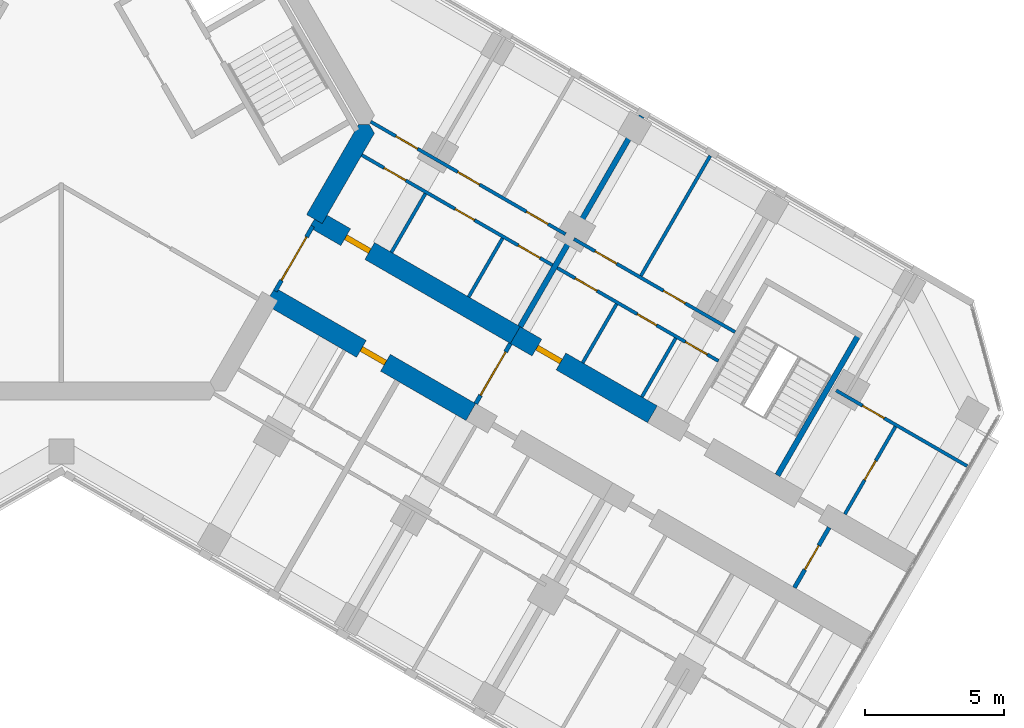
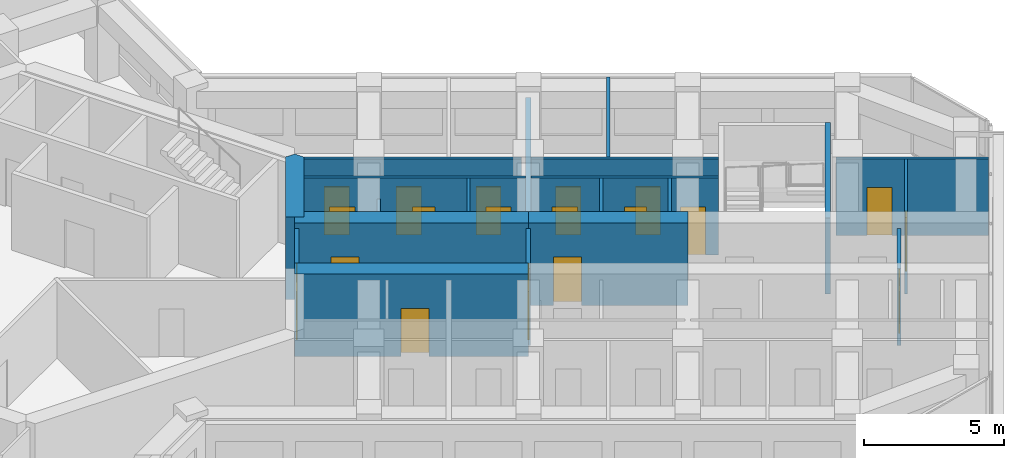
# One storey, part 12 of 16: 20 walls, 19 doors, 19 openings.
"""IFC4 building model written with IfcOpenShell, lengths in metres."""

from ifc_helpers import new_model, si_unit, direction, frame, frame_2d, origin, place, context, subcontext, project, spatial, polyline, rectangle, outline, extrude, material, layer, layer_set, type_object, element, fill, save


model = new_model("IFC4")

# Units and contexts
model_context = context("Model", 3, precision=1e-05, world=origin(), true_north=direction((0.0, 1.0)))
body_context = subcontext(model_context, "Body", "Model", "MODEL_VIEW")
ifc_project = project(units=[si_unit("LENGTHUNIT", "METRE"), si_unit("AREAUNIT", "SQUARE_METRE"), si_unit("VOLUMEUNIT", "CUBIC_METRE"), si_unit("PLANEANGLEUNIT", "RADIAN"), si_unit("MASSUNIT", "GRAM", prefix="KILO")], contexts=[model_context])

# Site, building, storey
site_placement = place(None, origin())
site = spatial("IfcSite", under=ifc_project, at=site_placement, CompositionType="ELEMENT")
building_placement = place(site_placement, origin())
building = spatial("IfcBuilding", under=site, at=building_placement, Name="Kosmar Iwan School Tower", CompositionType="ELEMENT")
storey_placement = place(building_placement, frame((0.0, 0.0, 222.60009765625)))
storey = spatial("IfcBuildingStorey", under=building, at=storey_placement, Name="L56", CompositionType="ELEMENT", Elevation=222.60009765625)

# Wall
ifc_material_1 = material(Name="Concrete C50/60", Category="concrete")
ifc_layer_1 = layer(ifc_material_1, 0.64990234375)
ifc_layer_set_1 = layer_set([ifc_layer_1], Name="Core wall 650")
wall_type_1 = type_object("IfcWallType", Name="Core wall 650", PredefinedType="SHEAR", material=ifc_layer_set_1)
wall_1_placement = place(storey_placement, origin())
element("IfcWall", 1, at=wall_1_placement, inside=storey, type_object=wall_type_1, Name="Core wall F330b", PredefinedType="SHEAR", context=body_context, shape_type="SweptSolid", body=[
    extrude(outline(polyline([(9.395263671875, -3.576904296875), (11.272705078125, -0.324951171875), (11.085205078125, 0.0), (10.7099609375, 0.0), (8.832275390625, -3.251953125), (9.395263671875, -3.576904296875)])), origin(), (0.0, 0.0, 1.0), 3.599853515625),
])

# Wall, opening, door
ifc_material_2 = material(Name="Concrete C50/60", Category="concrete")
ifc_layer_2 = layer(ifc_material_2, 0.699951171875)
ifc_layer_set_2 = layer_set([ifc_layer_2], Name="Corridor buttress wall 700")
wall_type_2 = type_object("IfcWallType", Name="Corridor buttress wall 700", PredefinedType="SHEAR", material=ifc_layer_set_2)
wall_2_placement = place(storey_placement, frame((9.11376953125, -3.414306640625, 0.0), z_axis=(0.0, 0.0, 1.0), x_axis=(0.866026859388, -0.499997478812, 0.0)))
wall_2 = element("IfcWall", 2, at=wall_2_placement, inside=storey, type_object=wall_type_2, Name="Corridor wall CL", PredefinedType="SHEAR", context=body_context, shape_type="SweptSolid", body=[
    extrude(rectangle(XDim=8.35009765625, YDim=0.699951171875, at=frame_2d((4.175048828125, 0.0))), origin(), (0.0, 0.0, 1.0), 3.599853515625),
])
opening_1_placement = place(wall_2_placement, frame((1.300048828125, 0.0, 0.0)))
opening_1 = element("IfcOpeningElement", 3, at=opening_1_placement, cuts=wall_2, Name="Opening D1", PredefinedType="OPENING", context=body_context, shape_type="SweptSolid", body=[
    extrude(rectangle(XDim=1.0, YDim=2.10009765625, at=frame_2d((0.5, 1.050048828125))), frame((0.0, 0.362060546875, 0.0), z_axis=(0.0, -1.0, 0.0), x_axis=(1.0, 0.0, 0.0)), (0.0, 0.0, 1.0), 0.723876953125),
])
ifc_material_3 = material(Name="Timber fire door in steel frame", Category="steel")
door_type_1 = type_object("IfcDoorType", Name="Flat entrance door 1000x2100", OperationType="SINGLE_SWING_LEFT", PredefinedType="DOOR", material=ifc_material_3)
door_1_placement = place(opening_1_placement, origin())
door_1 = element("IfcDoor", 4, at=door_1_placement, inside=storey, type_object=door_type_1, Name="Flat L56-CL1 entrance door", OperationType="SINGLE_SWING_RIGHT", OverallHeight=2.10009765625, OverallWidth=1.0, PredefinedType="DOOR", context=body_context, shape_type="SweptSolid", body=[
    extrude(rectangle(XDim=1.0, YDim=2.10009765625, at=frame_2d((0.5, 1.050048828125))), frame((0.0, 0.10009765625, 0.0), z_axis=(0.0, -1.0, 0.0), x_axis=(1.0, 0.0, 0.0)), (0.0, 0.0, 1.0), 0.199951171875),
])
fill(opening_1, door_1)

wall_3_placement = place(storey_placement, frame((16.34521484375, -7.58935546875, 0.0), z_axis=(0.0, 0.0, 1.0), x_axis=(0.866015111908, -0.50001782563, 0.0)))
wall_3 = element("IfcWall", 5, at=wall_3_placement, inside=storey, type_object=wall_type_2, Name="Corridor wall CL bay 2", PredefinedType="SHEAR", context=body_context, shape_type="SweptSolid", body=[
    extrude(rectangle(XDim=5.699951171875, YDim=0.699951171875, at=frame_2d((2.85009765625, 0.0))), origin(), (0.0, 0.0, 1.0), 3.599853515625),
])
opening_2_placement = place(wall_3_placement, frame((0.89990234375, 0.0, 0.0)))
opening_2 = element("IfcOpeningElement", 6, at=opening_2_placement, cuts=wall_3, Name="Opening D1", PredefinedType="OPENING", context=body_context, shape_type="SweptSolid", body=[
    extrude(rectangle(XDim=1.0, YDim=2.10009765625, at=frame_2d((0.5, 1.050048828125))), frame((0.0, 0.362060546875, 0.0), z_axis=(0.0, -1.0, 0.0), x_axis=(1.0, 0.0, 0.0)), (0.0, 0.0, 1.0), 0.723876953125),
])
door_2_placement = place(opening_2_placement, origin())
door_2 = element("IfcDoor", 7, at=door_2_placement, inside=storey, type_object=door_type_1, Name="Flat L56-CL2 entrance door", OperationType="SINGLE_SWING_RIGHT", OverallHeight=2.10009765625, OverallWidth=1.0, PredefinedType="DOOR", context=body_context, shape_type="SweptSolid", body=[
    extrude(rectangle(XDim=1.0, YDim=2.10009765625, at=frame_2d((0.5, 1.050048828125))), frame((0.0, 0.10009765625, 0.0), z_axis=(0.0, -1.0, 0.0), x_axis=(1.0, 0.0, 0.0)), (0.0, 0.0, 1.0), 0.199951171875),
])
fill(opening_2, door_2)

wall_4_placement = place(storey_placement, frame((7.513916015625, -6.185546875, 0.0), z_axis=(0.0, 0.0, 1.0), x_axis=(0.866019549707, -0.500010139422, 0.0)))
wall_4 = element("IfcWall", 8, at=wall_4_placement, inside=storey, type_object=wall_type_2, Name="Corridor wall CR", PredefinedType="SHEAR", context=body_context, shape_type="SweptSolid", body=[
    extrude(rectangle(XDim=8.349853515625, YDim=0.699951171875, at=frame_2d((4.1748046875, 0.0))), origin(), (0.0, 0.0, 1.0), 3.599853515625),
])
opening_3_placement = place(wall_4_placement, frame((3.800048828125, 0.0, 0.0)))
opening_3 = element("IfcOpeningElement", 9, at=opening_3_placement, cuts=wall_4, Name="Opening D1", PredefinedType="OPENING", context=body_context, shape_type="SweptSolid", body=[
    extrude(rectangle(XDim=1.0, YDim=2.10009765625, at=frame_2d((0.5, 1.050048828125))), frame((0.0, 0.362060546875, 0.0), z_axis=(0.0, -1.0, 0.0), x_axis=(1.0, 0.0, 0.0)), (0.0, 0.0, 1.0), 0.723876953125),
])
door_3_placement = place(opening_3_placement, origin())
door_3 = element("IfcDoor", 10, at=door_3_placement, inside=storey, type_object=door_type_1, Name="Flat L56-CR1 entrance door", OperationType="SINGLE_SWING_RIGHT", OverallHeight=2.10009765625, OverallWidth=1.0, PredefinedType="DOOR", context=body_context, shape_type="SweptSolid", body=[
    extrude(rectangle(XDim=1.0, YDim=2.10009765625, at=frame_2d((0.5, 1.050048828125))), frame((0.0, 0.10009765625, 0.0), z_axis=(0.0, -1.0, 0.0), x_axis=(1.0, 0.0, 0.0)), (0.0, 0.0, 1.0), 0.199951171875),
])
fill(opening_3, door_3)

ifc_material_4 = material(Name="Gypsum board on steel studs, fire-rated", Category="steel")
ifc_layer_3 = layer(ifc_material_4, 0.14990234375)
ifc_layer_set_3 = layer_set([ifc_layer_3], Name="Corridor end wall 150")
wall_type_3 = type_object("IfcWallType", Name="Corridor end wall 150", PredefinedType="PARTITIONING", material=ifc_layer_set_3)
wall_5_placement = place(storey_placement, frame((26.39501953125, -16.6826171875, 0.0), z_axis=(0.0, 0.0, 1.0), x_axis=(0.500004234368, 0.866022959057, 0.0)))
wall_5 = element("IfcWall", 11, at=wall_5_placement, inside=storey, type_object=wall_type_3, Name="Partition L56-C-CE", PredefinedType="PARTITIONING", context=body_context, shape_type="SweptSolid", body=[
    extrude(rectangle(XDim=2.5, YDim=0.14990234375, at=frame_2d((1.25, 0.0))), origin(), (0.0, 0.0, 1.0), 3.349853515625),
])
opening_4_placement = place(wall_5_placement, frame((0.75, 0.0, 0.0)))
opening_4 = element("IfcOpeningElement", 12, at=opening_4_placement, cuts=wall_5, Name="Opening D13", PredefinedType="OPENING", context=body_context, shape_type="SweptSolid", body=[
    extrude(rectangle(XDim=1.0, YDim=2.10009765625, at=frame_2d((0.5, 1.050048828125))), frame((0.0, 0.0869140625, 0.0), z_axis=(0.0, -1.0, 0.0), x_axis=(1.0, 0.0, 0.0)), (0.0, 0.0, 1.0), 0.173828125),
])
ifc_material_5 = material(Name="Timber fire door with vision panel", Category="wood")
door_type_2 = type_object("IfcDoorType", Name="Corridor end door 1000x2100", OperationType="SINGLE_SWING_LEFT", PredefinedType="DOOR", material=ifc_material_5)
door_4_placement = place(opening_4_placement, origin())
door_4 = element("IfcDoor", 13, at=door_4_placement, inside=storey, type_object=door_type_2, Name="Laundry and drying room door L56-C", OperationType="SINGLE_SWING_LEFT", OverallHeight=2.10009765625, OverallWidth=1.0, PredefinedType="DOOR", context=body_context, shape_type="SweptSolid", body=[
    extrude(rectangle(XDim=1.0, YDim=2.10009765625, at=frame_2d((0.5, 1.050048828125))), frame((0.0, 0.02490234375, 0.0), z_axis=(0.0, -1.0, 0.0), x_axis=(1.0, 0.0, 0.0)), (0.0, 0.0, 1.0), 0.050048828125),
])
fill(opening_4, door_4)

wall_6_placement = place(storey_placement, frame((14.920166015625, -10.0576171875, 0.0), z_axis=(0.0, 0.0, 1.0), x_axis=(0.500004234368, 0.866022959057, 0.0)))
wall_6 = element("IfcWall", 14, at=wall_6_placement, inside=storey, type_object=wall_type_3, Name="Partition L56-C-HW", PredefinedType="PARTITIONING", context=body_context, shape_type="SweptSolid", body=[
    extrude(rectangle(XDim=2.5, YDim=0.14990234375, at=frame_2d((1.25, 0.0))), origin(), (0.0, 0.0, 1.0), 3.349853515625),
])
opening_5_placement = place(wall_6_placement, frame((0.35009765625, 0.0, 0.0)))
opening_5 = element("IfcOpeningElement", 15, at=opening_5_placement, cuts=wall_6, Name="Opening D9", PredefinedType="OPENING", context=body_context, shape_type="SweptSolid", body=[
    extrude(rectangle(XDim=1.800048828125, YDim=2.10009765625, at=frame_2d((0.89990234375, 1.050048828125))), frame((0.0, 0.0869140625, 0.0), z_axis=(0.0, -1.0, 0.0), x_axis=(1.0, 0.0, 0.0)), (0.0, 0.0, 1.0), 0.173828125),
])
ifc_material_6 = material(Name="Steel framed glazed smoke door", Category="steel")
door_type_3 = type_object("IfcDoorType", Name="Corridor smoke door pair 1800x2100", OperationType="DOUBLE_DOOR_DOUBLE_SWING", PredefinedType="DOOR", material=ifc_material_6)
door_5_placement = place(opening_5_placement, origin())
door_5 = element("IfcDoor", 16, at=door_5_placement, inside=storey, type_object=door_type_3, Name="Entrance vestibule smoke doors L56-C", OperationType="DOUBLE_DOOR_DOUBLE_SWING", OverallHeight=2.10009765625, OverallWidth=1.800048828125, PredefinedType="DOOR", context=body_context, shape_type="SweptSolid", body=[
    extrude(rectangle(XDim=1.800048828125, YDim=2.10009765625, at=frame_2d((0.89990234375, 1.050048828125))), frame((0.0, 0.02490234375, 0.0), z_axis=(0.0, -1.0, 0.0), x_axis=(1.0, 0.0, 0.0)), (0.0, 0.0, 1.0), 0.050048828125),
])
fill(opening_5, door_5)

ifc_material_7 = material(Name="Steel framed glazed screen", Category="steel")
ifc_layer_4 = layer(ifc_material_7, 0.14990234375)
ifc_layer_set_4 = layer_set([ifc_layer_4], Name="Corridor screen wall 150")
wall_type_4 = type_object("IfcWallType", Name="Corridor screen wall 150", PredefinedType="PARTITIONING", material=ifc_layer_set_4)
wall_7_placement = place(storey_placement, frame((7.703857421875, -6.006591796875, 0.0), z_axis=(0.0, 0.0, 1.0), x_axis=(0.499980770555, 0.866036505625, 0.0)))
wall_7 = element("IfcWall", 17, at=wall_7_placement, inside=storey, type_object=wall_type_4, Name="Corridor screen C L56", PredefinedType="PARTITIONING", context=body_context, shape_type="SweptSolid", body=[
    extrude(rectangle(XDim=2.69970703125, YDim=0.14990234375, at=frame_2d((1.349853515625, 0.0))), origin(), (0.0, 0.0, 1.0), 3.349853515625),
])
opening_6_placement = place(wall_7_placement, frame((0.449951171875, 0.0, 0.0)))
opening_6 = element("IfcOpeningElement", 18, at=opening_6_placement, cuts=wall_7, Name="Opening D9", PredefinedType="OPENING", context=body_context, shape_type="SweptSolid", body=[
    extrude(rectangle(XDim=1.800048828125, YDim=2.10009765625, at=frame_2d((0.89990234375, 1.050048828125))), frame((0.0, 0.0869140625, 0.0), z_axis=(0.0, -1.0, 0.0), x_axis=(1.0, 0.0, 0.0)), (0.0, 0.0, 1.0), 0.173828125),
])
door_6_placement = place(opening_6_placement, origin())
door_6 = element("IfcDoor", 19, at=door_6_placement, inside=storey, type_object=door_type_3, Name="Corridor doors C L56", OperationType="DOUBLE_DOOR_DOUBLE_SWING", OverallHeight=2.10009765625, OverallWidth=1.800048828125, PredefinedType="DOOR", context=body_context, shape_type="SweptSolid", body=[
    extrude(rectangle(XDim=1.800048828125, YDim=2.10009765625, at=frame_2d((0.89990234375, 1.050048828125))), frame((0.0, 0.02490234375, 0.0), z_axis=(0.0, -1.0, 0.0), x_axis=(1.0, 0.0, 0.0)), (0.0, 0.0, 1.0), 0.050048828125),
])
fill(opening_6, door_6)

# Wall, openings, doors
ifc_material_8 = material(Name="Gypsum board on steel studs", Category="steel")
ifc_layer_5 = layer(ifc_material_8, 0.1201171875)
ifc_layer_set_5 = layer_set([ifc_layer_5], Name="Dwelling partition 120")
wall_type_5 = type_object("IfcWallType", Name="Dwelling partition 120", PredefinedType="PARTITIONING", material=ifc_layer_set_5)
wall_8_placement = place(storey_placement, frame((10.8203125, -1.108642578125, 0.0), z_axis=(0.0, 0.0, 1.0), x_axis=(0.866018344059, -0.500012227604, 0.0)))
wall_8 = element("IfcWall", 20, at=wall_8_placement, inside=storey, type_object=wall_type_5, Name="Partition L56-CL1-W1", PredefinedType="PARTITIONING", context=body_context, shape_type="SweptSolid", body=[
    extrude(rectangle(XDim=7.925048828125, YDim=0.1201171875, at=frame_2d((3.96240234375, 0.0))), origin(), (0.0, 0.0, 1.0), 3.349853515625),
])
opening_7_placement = place(wall_8_placement, frame((0.925048828125, 0.0, 0.0)))
opening_7 = element("IfcOpeningElement", 21, at=opening_7_placement, cuts=wall_8, Name="Opening D2", PredefinedType="OPENING", context=body_context, shape_type="SweptSolid", body=[
    extrude(rectangle(XDim=0.89990234375, YDim=2.10009765625, at=frame_2d((0.449951171875, 1.050048828125))), frame((0.0, 0.072021484375, 0.0), z_axis=(0.0, -1.0, 0.0), x_axis=(1.0, 0.0, 0.0)), (0.0, 0.0, 1.0), 0.14404296875),
])
opening_8_placement = place(wall_8_placement, frame((3.880126953125, 0.0, 0.0)))
opening_8 = element("IfcOpeningElement", 22, at=opening_8_placement, cuts=wall_8, Name="Opening D3", PredefinedType="OPENING", context=body_context, shape_type="SweptSolid", body=[
    extrude(rectangle(XDim=0.800048828125, YDim=2.10009765625, at=frame_2d((0.39990234375, 1.050048828125))), frame((0.0, 0.072021484375, 0.0), z_axis=(0.0, -1.0, 0.0), x_axis=(1.0, 0.0, 0.0)), (0.0, 0.0, 1.0), 0.14404296875),
])
opening_9_placement = place(wall_8_placement, frame((6.505126953125, 0.0, 0.0)))
opening_9 = element("IfcOpeningElement", 23, at=opening_9_placement, cuts=wall_8, Name="Opening D2", PredefinedType="OPENING", context=body_context, shape_type="SweptSolid", body=[
    extrude(rectangle(XDim=0.89990234375, YDim=2.10009765625, at=frame_2d((0.449951171875, 1.050048828125))), frame((0.0, 0.072021484375, 0.0), z_axis=(0.0, -1.0, 0.0), x_axis=(1.0, 0.0, 0.0)), (0.0, 0.0, 1.0), 0.14404296875),
])
ifc_material_9 = material(Name="Timber door in timber frame", Category="wood")
door_type_4 = type_object("IfcDoorType", Name="Internal door 900x2100", OperationType="SINGLE_SWING_LEFT", PredefinedType="DOOR", material=ifc_material_9)
door_7_placement = place(opening_7_placement, origin())
door_7 = element("IfcDoor", 24, at=door_7_placement, inside=storey, type_object=door_type_4, Name="Entrance hall door L56-CL1-S1", OperationType="SINGLE_SWING_LEFT", OverallHeight=2.10009765625, OverallWidth=0.89990234375, PredefinedType="DOOR", context=body_context, shape_type="SweptSolid", body=[
    extrude(rectangle(XDim=0.89990234375, YDim=2.10009765625, at=frame_2d((0.449951171875, 1.050048828125))), frame((0.0, 0.02490234375, 0.0), z_axis=(0.0, -1.0, 0.0), x_axis=(1.0, 0.0, 0.0)), (0.0, 0.0, 1.0), 0.050048828125),
])
fill(opening_7, door_7)
door_8_placement = place(opening_9_placement, origin())
door_8 = element("IfcDoor", 25, at=door_8_placement, inside=storey, type_object=door_type_4, Name="Pantry door L56-CL1-S3", OperationType="SINGLE_SWING_RIGHT", OverallHeight=2.10009765625, OverallWidth=0.89990234375, PredefinedType="DOOR", context=body_context, shape_type="SweptSolid", body=[
    extrude(rectangle(XDim=0.89990234375, YDim=2.10009765625, at=frame_2d((0.449951171875, 1.050048828125))), frame((0.0, 0.02490234375, 0.0), z_axis=(0.0, -1.0, 0.0), x_axis=(1.0, 0.0, 0.0)), (0.0, 0.0, 1.0), 0.050048828125),
])
fill(opening_9, door_8)
ifc_material_10 = material(Name="Timber door in timber frame", Category="wood")
door_type_5 = type_object("IfcDoorType", Name="Sanitary room door 800x2100", OperationType="SINGLE_SWING_LEFT", PredefinedType="DOOR", material=ifc_material_10)
door_9_placement = place(opening_8_placement, origin())
door_9 = element("IfcDoor", 26, at=door_9_placement, inside=storey, type_object=door_type_5, Name="Bathroom door L56-CL1-S2", OperationType="SINGLE_SWING_RIGHT", OverallHeight=2.10009765625, OverallWidth=0.800048828125, PredefinedType="DOOR", context=body_context, shape_type="SweptSolid", body=[
    extrude(rectangle(XDim=0.800048828125, YDim=2.10009765625, at=frame_2d((0.39990234375, 1.050048828125))), frame((0.0, 0.02490234375, 0.0), z_axis=(0.0, -1.0, 0.0), x_axis=(1.0, 0.0, 0.0)), (0.0, 0.0, 1.0), 0.050048828125),
])
fill(opening_8, door_9)

wall_9_placement = place(storey_placement, frame((11.138916015625, 0.093017578125, 0.0), z_axis=(0.0, 0.0, 1.0), x_axis=(0.866017937352, -0.500012932018, 0.0)))
wall_9 = element("IfcWall", 27, at=wall_9_placement, inside=storey, type_object=wall_type_5, Name="Partition L56-CL1-W2", PredefinedType="PARTITIONING", context=body_context, shape_type="SweptSolid", body=[
    extrude(rectangle(XDim=8.099853515625, YDim=0.1201171875, at=frame_2d((4.0498046875, 0.0))), origin(), (0.0, 0.0, 1.0), 3.349853515625),
])
opening_10_placement = place(wall_9_placement, frame((1.050048828125, 0.0, 0.0)))
opening_10 = element("IfcOpeningElement", 28, at=opening_10_placement, cuts=wall_9, Name="Opening D2", PredefinedType="OPENING", context=body_context, shape_type="SweptSolid", body=[
    extrude(rectangle(XDim=0.89990234375, YDim=2.10009765625, at=frame_2d((0.449951171875, 1.050048828125))), frame((0.0, 0.072021484375, 0.0), z_axis=(0.0, -1.0, 0.0), x_axis=(1.0, 0.0, 0.0)), (0.0, 0.0, 1.0), 0.14404296875),
])
opening_11_placement = place(wall_9_placement, frame((3.625, 0.0, 0.0)))
opening_11 = element("IfcOpeningElement", 29, at=opening_11_placement, cuts=wall_9, Name="Opening D2", PredefinedType="OPENING", context=body_context, shape_type="SweptSolid", body=[
    extrude(rectangle(XDim=0.89990234375, YDim=2.10009765625, at=frame_2d((0.449951171875, 1.050048828125))), frame((0.0, 0.072021484375, 0.0), z_axis=(0.0, -1.0, 0.0), x_axis=(1.0, 0.0, 0.0)), (0.0, 0.0, 1.0), 0.14404296875),
])
opening_12_placement = place(wall_9_placement, frame((6.47509765625, 0.0, 0.0)))
opening_12 = element("IfcOpeningElement", 30, at=opening_12_placement, cuts=wall_9, Name="Opening D2", PredefinedType="OPENING", context=body_context, shape_type="SweptSolid", body=[
    extrude(rectangle(XDim=0.89990234375, YDim=2.10009765625, at=frame_2d((0.449951171875, 1.050048828125))), frame((0.0, 0.072021484375, 0.0), z_axis=(0.0, -1.0, 0.0), x_axis=(1.0, 0.0, 0.0)), (0.0, 0.0, 1.0), 0.14404296875),
])
door_10_placement = place(opening_10_placement, origin())
door_10 = element("IfcDoor", 31, at=door_10_placement, inside=storey, type_object=door_type_4, Name="Living room and kitchen door L56-CL1-F1", OperationType="SINGLE_SWING_LEFT", OverallHeight=2.10009765625, OverallWidth=0.89990234375, PredefinedType="DOOR", context=body_context, shape_type="SweptSolid", body=[
    extrude(rectangle(XDim=0.89990234375, YDim=2.10009765625, at=frame_2d((0.449951171875, 1.050048828125))), frame((0.0, 0.02490234375, 0.0), z_axis=(0.0, -1.0, 0.0), x_axis=(1.0, 0.0, 0.0)), (0.0, 0.0, 1.0), 0.050048828125),
])
fill(opening_10, door_10)
door_11_placement = place(opening_11_placement, origin())
door_11 = element("IfcDoor", 32, at=door_11_placement, inside=storey, type_object=door_type_4, Name="Study door L56-CL1-F2", OperationType="SINGLE_SWING_RIGHT", OverallHeight=2.10009765625, OverallWidth=0.89990234375, PredefinedType="DOOR", context=body_context, shape_type="SweptSolid", body=[
    extrude(rectangle(XDim=0.89990234375, YDim=2.10009765625, at=frame_2d((0.449951171875, 1.050048828125))), frame((0.0, 0.02490234375, 0.0), z_axis=(0.0, -1.0, 0.0), x_axis=(1.0, 0.0, 0.0)), (0.0, 0.0, 1.0), 0.050048828125),
])
fill(opening_11, door_11)
door_12_placement = place(opening_12_placement, origin())
door_12 = element("IfcDoor", 33, at=door_12_placement, inside=storey, type_object=door_type_4, Name="Bedroom 1 door L56-CL1-F3", OperationType="SINGLE_SWING_RIGHT", OverallHeight=2.10009765625, OverallWidth=0.89990234375, PredefinedType="DOOR", context=body_context, shape_type="SweptSolid", body=[
    extrude(rectangle(XDim=0.89990234375, YDim=2.10009765625, at=frame_2d((0.449951171875, 1.050048828125))), frame((0.0, 0.02490234375, 0.0), z_axis=(0.0, -1.0, 0.0), x_axis=(1.0, 0.0, 0.0)), (0.0, 0.0, 1.0), 0.050048828125),
])
fill(opening_12, door_12)

# Walls
wall_10_placement = place(storey_placement, frame((11.886962890625, -4.611328125, 0.0), z_axis=(0.0, 0.0, 1.0), x_axis=(0.499959183527, 0.866048967903, 0.0)))
element("IfcWall", 34, at=wall_10_placement, inside=storey, type_object=wall_type_5, Name="Partition L56-CL1-Y1", PredefinedType="PARTITIONING", context=body_context, shape_type="SweptSolid", body=[
    extrude(rectangle(XDim=2.440185546875, YDim=0.1201171875, at=frame_2d((1.22021484375, 0.0))), origin(), (0.0, 0.0, 1.0), 2.449951171875),
])
wall_11_placement = place(storey_placement, frame((14.666748046875, -6.21630859375, 0.0), z_axis=(0.0, 0.0, 1.0), x_axis=(0.500034220881, 0.866005645448, 0.0)))
element("IfcWall", 35, at=wall_11_placement, inside=storey, type_object=wall_type_5, Name="Partition L56-CL1-Y2", PredefinedType="PARTITIONING", context=body_context, shape_type="SweptSolid", body=[
    extrude(rectangle(XDim=2.440185546875, YDim=0.1201171875, at=frame_2d((1.22021484375, 0.0))), origin(), (0.0, 0.0, 1.0), 3.349853515625),
])

# Wall, openings, doors
wall_12_placement = place(storey_placement, frame((17.856689453125, -5.171142578125, 0.0), z_axis=(0.0, 0.0, 1.0), x_axis=(0.866023571113, -0.500003174267, 0.0)))
wall_12 = element("IfcWall", 36, at=wall_12_placement, inside=storey, type_object=wall_type_5, Name="Partition L56-CL2-W1", PredefinedType="PARTITIONING", context=body_context, shape_type="SweptSolid", body=[
    extrude(rectangle(XDim=6.7001953125, YDim=0.1201171875, at=frame_2d((3.35009765625, 0.0))), origin(), (0.0, 0.0, 1.0), 3.349853515625),
])
opening_13_placement = place(wall_12_placement, frame((0.75, 0.0, 0.0)))
opening_13 = element("IfcOpeningElement", 37, at=opening_13_placement, cuts=wall_12, Name="Opening D2", PredefinedType="OPENING", context=body_context, shape_type="SweptSolid", body=[
    extrude(rectangle(XDim=0.89990234375, YDim=2.10009765625, at=frame_2d((0.449951171875, 1.050048828125))), frame((0.0, 0.072021484375, 0.0), z_axis=(0.0, -1.0, 0.0), x_axis=(1.0, 0.0, 0.0)), (0.0, 0.0, 1.0), 0.14404296875),
])
opening_14_placement = place(wall_12_placement, frame((3.330078125, 0.0, 0.0)))
opening_14 = element("IfcOpeningElement", 38, at=opening_14_placement, cuts=wall_12, Name="Opening D3", PredefinedType="OPENING", context=body_context, shape_type="SweptSolid", body=[
    extrude(rectangle(XDim=0.800048828125, YDim=2.10009765625, at=frame_2d((0.39990234375, 1.050048828125))), frame((0.0, 0.072021484375, 0.0), z_axis=(0.0, -1.0, 0.0), x_axis=(1.0, 0.0, 0.0)), (0.0, 0.0, 1.0), 0.14404296875),
])
opening_15_placement = place(wall_12_placement, frame((5.330078125, 0.0, 0.0)))
opening_15 = element("IfcOpeningElement", 39, at=opening_15_placement, cuts=wall_12, Name="Opening D2", PredefinedType="OPENING", context=body_context, shape_type="SweptSolid", body=[
    extrude(rectangle(XDim=0.89990234375, YDim=2.10009765625, at=frame_2d((0.449951171875, 1.050048828125))), frame((0.0, 0.072021484375, 0.0), z_axis=(0.0, -1.0, 0.0), x_axis=(1.0, 0.0, 0.0)), (0.0, 0.0, 1.0), 0.14404296875),
])
door_13_placement = place(opening_13_placement, origin())
door_13 = element("IfcDoor", 40, at=door_13_placement, inside=storey, type_object=door_type_4, Name="Entrance hall door L56-CL2-S1", OperationType="SINGLE_SWING_LEFT", OverallHeight=2.10009765625, OverallWidth=0.89990234375, PredefinedType="DOOR", context=body_context, shape_type="SweptSolid", body=[
    extrude(rectangle(XDim=0.89990234375, YDim=2.10009765625, at=frame_2d((0.449951171875, 1.050048828125))), frame((0.0, 0.02490234375, 0.0), z_axis=(0.0, -1.0, 0.0), x_axis=(1.0, 0.0, 0.0)), (0.0, 0.0, 1.0), 0.050048828125),
])
fill(opening_13, door_13)
door_14_placement = place(opening_15_placement, frame((0.89990234375, 0.0, 0.0), z_axis=(0.0, 0.0, 1.0), x_axis=(-1.0, 0.0, 0.0)))
door_14 = element("IfcDoor", 41, at=door_14_placement, inside=storey, type_object=door_type_4, Name="Pantry door L56-CL2-S3", OperationType="SINGLE_SWING_LEFT", OverallHeight=2.10009765625, OverallWidth=0.89990234375, PredefinedType="DOOR", context=body_context, shape_type="SweptSolid", body=[
    extrude(rectangle(XDim=0.89990234375, YDim=2.10009765625, at=frame_2d((0.449951171875, 1.050048828125))), frame((0.0, 0.02490234375, 0.0), z_axis=(0.0, -1.0, 0.0), x_axis=(1.0, 0.0, 0.0)), (0.0, 0.0, 1.0), 0.050048828125),
])
fill(opening_15, door_14)
door_15_placement = place(opening_14_placement, origin())
door_15 = element("IfcDoor", 42, at=door_15_placement, inside=storey, type_object=door_type_5, Name="Bathroom door L56-CL2-S2", OperationType="SINGLE_SWING_RIGHT", OverallHeight=2.10009765625, OverallWidth=0.800048828125, PredefinedType="DOOR", context=body_context, shape_type="SweptSolid", body=[
    extrude(rectangle(XDim=0.800048828125, YDim=2.10009765625, at=frame_2d((0.39990234375, 1.050048828125))), frame((0.0, 0.02490234375, 0.0), z_axis=(0.0, -1.0, 0.0), x_axis=(1.0, 0.0, 0.0)), (0.0, 0.0, 1.0), 0.050048828125),
])
fill(opening_14, door_15)

wall_13_placement = place(storey_placement, frame((18.456787109375, -4.1318359375, 0.0), z_axis=(0.0, 0.0, 1.0), x_axis=(0.866014461049, -0.500018952895, 0.0)))
wall_13 = element("IfcWall", 43, at=wall_13_placement, inside=storey, type_object=wall_type_5, Name="Partition L56-CL2-W2", PredefinedType="PARTITIONING", context=body_context, shape_type="SweptSolid", body=[
    extrude(rectangle(XDim=6.699951171875, YDim=0.1201171875, at=frame_2d((3.35009765625, 0.0))), origin(), (0.0, 0.0, 1.0), 3.349853515625),
])
opening_16_placement = place(wall_13_placement, frame((0.875, 0.0, 0.0)))
opening_16 = element("IfcOpeningElement", 44, at=opening_16_placement, cuts=wall_13, Name="Opening D2", PredefinedType="OPENING", context=body_context, shape_type="SweptSolid", body=[
    extrude(rectangle(XDim=0.89990234375, YDim=2.10009765625, at=frame_2d((0.449951171875, 1.050048828125))), frame((0.0, 0.072021484375, 0.0), z_axis=(0.0, -1.0, 0.0), x_axis=(1.0, 0.0, 0.0)), (0.0, 0.0, 1.0), 0.14404296875),
])
opening_17_placement = place(wall_13_placement, frame((3.72509765625, 0.0, 0.0)))
opening_17 = element("IfcOpeningElement", 45, at=opening_17_placement, cuts=wall_13, Name="Opening D2", PredefinedType="OPENING", context=body_context, shape_type="SweptSolid", body=[
    extrude(rectangle(XDim=0.89990234375, YDim=2.10009765625, at=frame_2d((0.449951171875, 1.050048828125))), frame((0.0, 0.072021484375, 0.0), z_axis=(0.0, -1.0, 0.0), x_axis=(1.0, 0.0, 0.0)), (0.0, 0.0, 1.0), 0.14404296875),
])
door_16_placement = place(opening_16_placement, origin())
door_16 = element("IfcDoor", 46, at=door_16_placement, inside=storey, type_object=door_type_4, Name="Living room and kitchen door L56-CL2-F1", OperationType="SINGLE_SWING_LEFT", OverallHeight=2.10009765625, OverallWidth=0.89990234375, PredefinedType="DOOR", context=body_context, shape_type="SweptSolid", body=[
    extrude(rectangle(XDim=0.89990234375, YDim=2.10009765625, at=frame_2d((0.449951171875, 1.050048828125))), frame((0.0, 0.02490234375, 0.0), z_axis=(0.0, -1.0, 0.0), x_axis=(1.0, 0.0, 0.0)), (0.0, 0.0, 1.0), 0.050048828125),
])
fill(opening_16, door_16)
door_17_placement = place(opening_17_placement, origin())
door_17 = element("IfcDoor", 47, at=door_17_placement, inside=storey, type_object=door_type_4, Name="Bedroom 1 door L56-CL2-F2", OperationType="SINGLE_SWING_RIGHT", OverallHeight=2.10009765625, OverallWidth=0.89990234375, PredefinedType="DOOR", context=body_context, shape_type="SweptSolid", body=[
    extrude(rectangle(XDim=0.89990234375, YDim=2.10009765625, at=frame_2d((0.449951171875, 1.050048828125))), frame((0.0, 0.02490234375, 0.0), z_axis=(0.0, -1.0, 0.0), x_axis=(1.0, 0.0, 0.0)), (0.0, 0.0, 1.0), 0.050048828125),
])
fill(opening_17, door_17)

# Walls
wall_14_placement = place(storey_placement, frame((20.868408203125, -5.455078125, 0.0), z_axis=(0.0, 0.0, 1.0), x_axis=(0.499975153383, 0.86603974851, 0.0)))
element("IfcWall", 48, at=wall_14_placement, inside=storey, type_object=wall_type_5, Name="Partition L56-CL2-X1", PredefinedType="PARTITIONING", context=body_context, shape_type="SweptSolid", body=[
    extrude(rectangle(XDim=4.989990234375, YDim=0.1201171875, at=frame_2d((2.4951171875, 0.0))), origin(), (0.0, 0.0, 1.0), 3.349853515625),
])
for number, where, z_axis, x_axis, name in (
    (49, (18.771728515625, -8.586181640625, 0.0), (0.0, 0.0, 1.0), (0.500077547548, 0.865980627057, 0.0), "Partition L56-CL2-Y1"),
    (50, (20.90234375, -9.816162109375, 0.0), (0.0, 0.0, 1.0), (0.500002508028, 0.866023955769, 0.0), "Partition L56-CL2-Y2"),
):
    element("IfcWall", number, at=place(storey_placement, frame(where, z_axis=z_axis, x_axis=x_axis)), inside=storey, type_object=wall_type_5, Name=name, PredefinedType="PARTITIONING", context=body_context, shape_type="SweptSolid", body=[
        extrude(rectangle(XDim=2.43994140625, YDim=0.1201171875, at=frame_2d((1.219970703125, 0.0))), origin(), (0.0, 0.0, 1.0), 3.349853515625),
    ])

# Wall, opening, door
wall_15_placement = place(storey_placement, frame((27.896484375, -9.58203125, 0.0), z_axis=(0.0, 0.0, 1.0), x_axis=(0.866035508231, -0.499982498177, 0.0)))
wall_15 = element("IfcWall", 51, at=wall_15_placement, inside=storey, type_object=wall_type_5, Name="Partition L56-CL3-TW", PredefinedType="PARTITIONING", context=body_context, shape_type="SweptSolid", body=[
    extrude(rectangle(XDim=5.445068359375, YDim=0.1201171875, at=frame_2d((2.72265625, 0.0))), origin(), (0.0, 0.0, 1.0), 3.349853515625),
])
opening_18_placement = place(wall_15_placement, frame((1.10009765625, 0.0, 0.0)))
opening_18 = element("IfcOpeningElement", 52, at=opening_18_placement, cuts=wall_15, Name="Opening D2", PredefinedType="OPENING", context=body_context, shape_type="SweptSolid", body=[
    extrude(rectangle(XDim=0.89990234375, YDim=2.10009765625, at=frame_2d((0.449951171875, 1.050048828125))), frame((0.0, 0.072021484375, 0.0), z_axis=(0.0, -1.0, 0.0), x_axis=(1.0, 0.0, 0.0)), (0.0, 0.0, 1.0), 0.14404296875),
])
door_18_placement = place(opening_18_placement, origin())
door_18 = element("IfcDoor", 53, at=door_18_placement, inside=storey, type_object=door_type_4, Name="Entrance hall door L56-CL3-T3", OperationType="SINGLE_SWING_LEFT", OverallHeight=2.10009765625, OverallWidth=0.89990234375, PredefinedType="DOOR", context=body_context, shape_type="SweptSolid", body=[
    extrude(rectangle(XDim=0.89990234375, YDim=2.10009765625, at=frame_2d((0.449951171875, 1.050048828125))), frame((0.0, 0.02490234375, 0.0), z_axis=(0.0, -1.0, 0.0), x_axis=(1.0, 0.0, 0.0)), (0.0, 0.0, 1.0), 0.050048828125),
])
fill(opening_18, door_18)

wall_16_placement = place(storey_placement, frame((28.21142578125, -14.036376953125, 0.0), z_axis=(0.0, 0.0, 1.0), x_axis=(0.499983701346, 0.866034813612, 0.0)))
wall_16 = element("IfcWall", 54, at=wall_16_placement, inside=storey, type_object=wall_type_5, Name="Partition L56-CL3-TY", PredefinedType="PARTITIONING", context=body_context, shape_type="SweptSolid", body=[
    extrude(rectangle(XDim=3.64013671875, YDim=0.1201171875, at=frame_2d((1.820068359375, 0.0))), origin(), (0.0, 0.0, 1.0), 3.349853515625),
])
opening_19_placement = place(wall_16_placement, frame((1.419921875, 0.0, 0.0)))
opening_19 = element("IfcOpeningElement", 55, at=opening_19_placement, cuts=wall_16, Name="Opening D3", PredefinedType="OPENING", context=body_context, shape_type="SweptSolid", body=[
    extrude(rectangle(XDim=0.800048828125, YDim=2.10009765625, at=frame_2d((0.39990234375, 1.050048828125))), frame((0.0, 0.072021484375, 0.0), z_axis=(0.0, -1.0, 0.0), x_axis=(1.0, 0.0, 0.0)), (0.0, 0.0, 1.0), 0.14404296875),
])
door_19_placement = place(opening_19_placement, origin())
door_19 = element("IfcDoor", 56, at=door_19_placement, inside=storey, type_object=door_type_5, Name="Bathroom door L56-CL3-T4", OperationType="SINGLE_SWING_LEFT", OverallHeight=2.10009765625, OverallWidth=0.800048828125, PredefinedType="DOOR", context=body_context, shape_type="SweptSolid", body=[
    extrude(rectangle(XDim=0.800048828125, YDim=2.10009765625, at=frame_2d((0.39990234375, 1.050048828125))), frame((0.0, 0.02490234375, 0.0), z_axis=(0.0, -1.0, 0.0), x_axis=(1.0, 0.0, 0.0)), (0.0, 0.0, 1.0), 0.050048828125),
])
fill(opening_19, door_19)

# Walls
ifc_material_11 = material(Name="Concrete C35/45", Category="concrete")
ifc_layer_6 = layer(ifc_material_11, 0.199951171875)
ifc_layer_set_6 = layer_set([ifc_layer_6], Name="Escape stair wall 200")
wall_type_6 = type_object("IfcWallType", Name="Escape stair wall 200", PredefinedType="SHEAR", material=ifc_layer_set_6)
wall_17_placement = place(storey_placement, frame((25.78662109375, -12.63623046875, 0.0), z_axis=(0.0, 0.0, 1.0), x_axis=(0.500013701029, 0.866017493347, 0.0)))
element("IfcWall", 57, at=wall_17_placement, inside=storey, type_object=wall_type_6, Name="Stair WS3 wall", PredefinedType="SHEAR", context=body_context, shape_type="SweptSolid", body=[
    extrude(rectangle(XDim=5.949951171875, YDim=0.199951171875, at=frame_2d((2.97509765625, 0.0))), origin(), (0.0, 0.0, 1.0), 3.329833984375),
])
ifc_material_12 = material(Name="Concrete block masonry", Category="masonry")
ifc_layer_7 = layer(ifc_material_12, 0.199951171875)
ifc_layer_set_7 = layer_set([ifc_layer_7], Name="Party wall 200")
wall_type_7 = type_object("IfcWallType", Name="Party wall 200", PredefinedType="PARTITIONING", material=ifc_layer_set_7)
wall_18_placement = place(storey_placement, frame((16.520263671875, -7.286376953125, 0.0), z_axis=(0.0, 0.0, 1.0), x_axis=(0.499992152613, 0.866029934428, 0.0)))
element("IfcWall", 58, at=wall_18_placement, inside=storey, type_object=wall_type_7, Name="Partition L56-CL2-PW", PredefinedType="PARTITIONING", context=body_context, shape_type="SweptSolid", body=[
    extrude(rectangle(XDim=8.750244140625, YDim=0.199951171875, at=frame_2d((4.375, 0.0))), origin(), (0.0, 0.0, 1.0), 2.449951171875),
])

save(model, "model.ifc")
